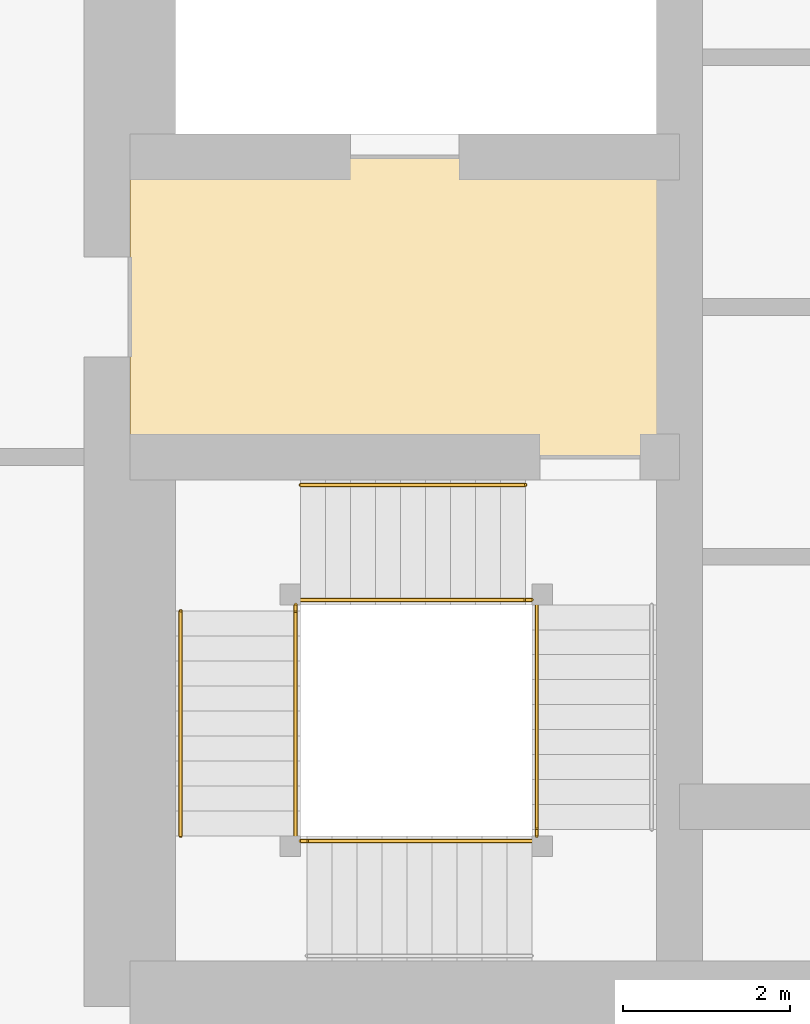
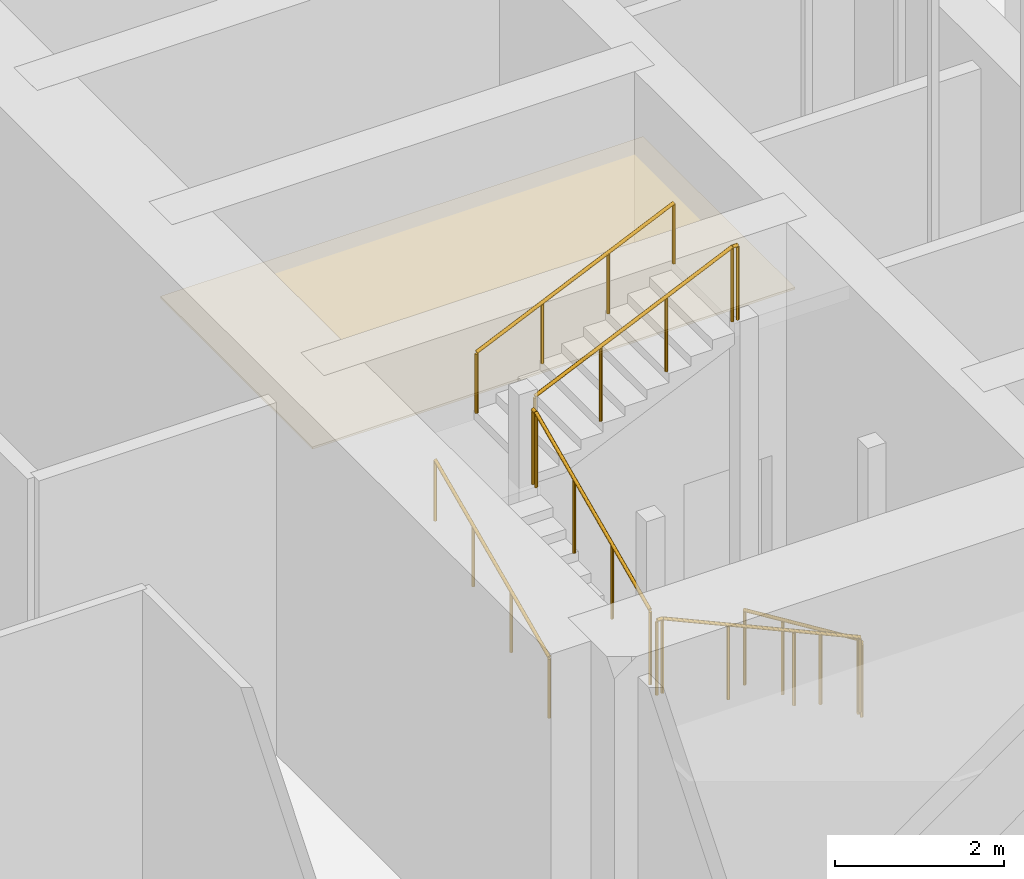
# One storey, part 47 of 81: 10 railings, 1 covering.
"""IFC4 building model written with IfcOpenShell, lengths in metres."""

from ifc_helpers import new_model, si_unit, direction, frame, origin, origin_2d, place, context, subcontext, project, spatial, polyline, circle, outline, extrude, material, layer, layer_set, type_object, element, save


model = new_model("IFC4")

# Units and contexts
model_context = context("Model", 3, precision=1e-05, world=origin(), true_north=direction((0.0, 1.0)))
body_context = subcontext(model_context, "Body", "Model", "MODEL_VIEW")
ifc_project = project(units=[si_unit("LENGTHUNIT", "METRE"), si_unit("AREAUNIT", "SQUARE_METRE"), si_unit("VOLUMEUNIT", "CUBIC_METRE"), si_unit("PLANEANGLEUNIT", "RADIAN"), si_unit("MASSUNIT", "GRAM", prefix="KILO")], contexts=[model_context])

# Site, building, storey
site_placement = place(None, origin())
site = spatial("IfcSite", under=ifc_project, at=site_placement, CompositionType="ELEMENT")
building_placement = place(site_placement, origin())
building = spatial("IfcBuilding", under=site, at=building_placement, Name="Rekha Terrace Tower", CompositionType="ELEMENT")
storey_placement = place(building_placement, origin())
storey = spatial("IfcBuildingStorey", under=building, at=storey_placement, Name="L00", CompositionType="ELEMENT", Elevation=0.0)

# Covering
ifc_material_1 = material(Name="Powder-coated aluminium pan", Category="aluminium")
ifc_layer = layer(ifc_material_1, 0.030029296875)
ifc_layer_set = layer_set([ifc_layer], Name="Powder-coated aluminium pan")
covering_type = type_object("IfcCoveringType", Name="CL3 300x1200 metal pan ceiling", PredefinedType="CEILING", material=ifc_layer_set)
covering_placement = place(storey_placement, frame((0.0, 0.0, 4.169921875)))
element("IfcCovering", 1, at=covering_placement, inside=storey, type_object=covering_type, Name="Ceiling L00-FLB1", PredefinedType="CEILING", context=body_context, shape_type="SweptSolid", body=[
    extrude(outline(polyline([(31.800048828125, 31.199951171875), (25.199951171875, 31.199951171875), (25.199951171875, 27.60009765625), (31.800048828125, 27.60009765625), (31.800048828125, 31.199951171875)])), origin(), (0.0, 0.0, 1.0), 0.030029296875),
])

# Railings
ifc_material_2 = material(Name="Stainless steel balustrade", Category="steel")
railing_type_1 = type_object("IfcRailingType", Name="GR1 1100 stair guard", PredefinedType="GUARDRAIL", material=ifc_material_2)
railing_1_placement = place(storey_placement, frame((30.0849609375, 25.824951171875, 0.135009765625)))
element("IfcRailing", 2, at=railing_1_placement, inside=storey, type_object=railing_type_1, Name="Guard ST1 L00 flight 1", PredefinedType="GUARDRAIL", context=body_context, shape_type="SweptSolid", body=[
    extrude(circle(Radius=0.02392578125, at=origin_2d()), frame((0.0, 0.0, 1.076171875), z_axis=(0.0, -0.911907618724, 0.410395534713), x_axis=(1.0, 0.0, 0.0)), (0.0, 0.0, 1.0), 2.960693359375),
    extrude(circle(Radius=0.02099609375, at=origin_2d()), origin(), (0.0, 0.0, 1.0), 1.052001953125),
    extrude(circle(Radius=0.02099609375, at=origin_2d()), frame((0.0, -0.89990234375, 0.405029296875)), (0.0, 0.0, 1.0), 1.052001953125),
    extrude(circle(Radius=0.02099609375, at=origin_2d()), frame((0.0, -1.800048828125, 0.81005859375)), (0.0, 0.0, 1.0), 1.052001953125),
    extrude(circle(Radius=0.02099609375, at=origin_2d()), frame((0.0, -2.699951171875, 1.215087890625)), (0.0, 0.0, 1.0), 1.052001953125),
])
railing_2_placement = place(storey_placement, frame((30.02490234375, 22.989990234375, 1.485107421875)))
element("IfcRailing", 3, at=railing_2_placement, inside=storey, type_object=railing_type_1, Name="Guard ST1 L00 flight 2", PredefinedType="GUARDRAIL", context=body_context, shape_type="SweptSolid", body=[
    extrude(circle(Radius=0.02392578125, at=origin_2d()), frame((0.0, 0.0, 1.076171875), z_axis=(-0.91193847666, 0.0, 0.410326960834), x_axis=(0.0, -1.0, 0.0)), (0.0, 0.0, 1.0), 2.960693359375),
    extrude(circle(Radius=0.02099609375, at=origin_2d()), origin(), (0.0, 0.0, 1.0), 1.052001953125),
    extrude(circle(Radius=0.02099609375, at=origin_2d()), frame((-0.89990234375, 0.0, 0.405029296875)), (0.0, 0.0, 1.0), 1.052001953125),
    extrude(circle(Radius=0.02099609375, at=origin_2d()), frame((-1.800048828125, 0.0, 0.809814453125)), (0.0, 0.0, 1.0), 1.052001953125),
    extrude(circle(Radius=0.02099609375, at=origin_2d()), frame((-2.699951171875, 0.0, 1.21484375)), (0.0, 0.0, 1.0), 1.052001953125),
])
railing_3_placement = place(storey_placement, frame((27.18994140625, 23.050048828125, 2.8349609375)))
element("IfcRailing", 4, at=railing_3_placement, inside=storey, type_object=railing_type_1, Name="Guard ST1 L00 flight 3", PredefinedType="GUARDRAIL", context=body_context, shape_type="SweptSolid", body=[
    extrude(circle(Radius=0.02392578125, at=origin_2d()), frame((0.0, 0.0, 1.076171875), z_axis=(0.0, 0.911907618724, 0.410395534713), x_axis=(-1.0, 0.0, 0.0)), (0.0, 0.0, 1.0), 2.960693359375),
    extrude(circle(Radius=0.02099609375, at=origin_2d()), origin(), (0.0, 0.0, 1.0), 1.052001953125),
    extrude(circle(Radius=0.02099609375, at=origin_2d()), frame((0.0, 0.89990234375, 0.405029296875)), (0.0, 0.0, 1.0), 1.052001953125),
    extrude(circle(Radius=0.02099609375, at=origin_2d()), frame((0.0, 1.800048828125, 0.81005859375)), (0.0, 0.0, 1.0), 1.052001953125),
    extrude(circle(Radius=0.02099609375, at=origin_2d()), frame((0.0, 2.699951171875, 1.215087890625)), (0.0, 0.0, 1.0), 1.052001953125),
])
railing_4_placement = place(storey_placement, frame((27.25, 25.885009765625, 4.18505859375)))
element("IfcRailing", 5, at=railing_4_placement, inside=storey, type_object=railing_type_1, Name="Guard ST1 L00 flight 4", PredefinedType="GUARDRAIL", context=body_context, shape_type="SweptSolid", body=[
    extrude(circle(Radius=0.02392578125, at=origin_2d()), frame((0.0, 0.0, 1.076171875), z_axis=(0.91193847666, 0.0, 0.410326960834), x_axis=(0.0, 1.0, 0.0)), (0.0, 0.0, 1.0), 2.960693359375),
    extrude(circle(Radius=0.02099609375, at=origin_2d()), origin(), (0.0, 0.0, 1.0), 1.052001953125),
    extrude(circle(Radius=0.02099609375, at=origin_2d()), frame((0.89990234375, 0.0, 0.405029296875)), (0.0, 0.0, 1.0), 1.052001953125),
    extrude(circle(Radius=0.02099609375, at=origin_2d()), frame((1.800048828125, 0.0, 0.809814453125)), (0.0, 0.0, 1.0), 1.052001953125),
    extrude(circle(Radius=0.02099609375, at=origin_2d()), frame((2.699951171875, 0.0, 1.21484375)), (0.0, 0.0, 1.0), 1.052001953125),
])
railing_5_placement = place(storey_placement, frame((30.0849609375, 23.125, 1.35009765625)))
element("IfcRailing", 6, at=railing_5_placement, inside=storey, type_object=railing_type_1, Name="Guard ST1 L00 landing 1", PredefinedType="GUARDRAIL", context=body_context, shape_type="SweptSolid", body=[
    extrude(circle(Radius=0.02392578125, at=origin_2d()), frame((0.0, 0.0, 1.076171875), z_axis=(0.0, -1.0, 0.0), x_axis=(1.0, 0.0, 0.0)), (0.0, 0.0, 1.0), 0.074951171875),
    extrude(circle(Radius=0.02099609375, at=origin_2d()), origin(), (0.0, 0.0, 1.0), 1.052001953125),
    extrude(circle(Radius=0.02099609375, at=origin_2d()), frame((0.0, -0.074951171875, 0.0)), (0.0, 0.0, 1.0), 1.052001953125),
])
railing_6_placement = place(storey_placement, frame((27.324951171875, 22.989990234375, 2.699951171875)))
element("IfcRailing", 7, at=railing_6_placement, inside=storey, type_object=railing_type_1, Name="Guard ST1 L00 landing 2", PredefinedType="GUARDRAIL", context=body_context, shape_type="SweptSolid", body=[
    extrude(circle(Radius=0.02392578125, at=origin_2d()), frame((0.0, 0.0, 1.076171875), z_axis=(-1.0, 0.0, 0.0), x_axis=(0.0, -1.0, 0.0)), (0.0, 0.0, 1.0), 0.074951171875),
    extrude(circle(Radius=0.02099609375, at=origin_2d()), origin(), (0.0, 0.0, 1.0), 1.052001953125),
    extrude(circle(Radius=0.02099609375, at=origin_2d()), frame((-0.074951171875, 0.0, 0.0)), (0.0, 0.0, 1.0), 1.052001953125),
])
railing_7_placement = place(storey_placement, frame((27.18994140625, 25.824951171875, 4.050048828125)))
element("IfcRailing", 8, at=railing_7_placement, inside=storey, type_object=railing_type_1, Name="Guard ST1 L00 landing 3", PredefinedType="GUARDRAIL", context=body_context, shape_type="SweptSolid", body=[
    extrude(circle(Radius=0.02392578125, at=origin_2d()), frame((0.0, 0.0, 1.076171875), z_axis=(0.0, -1.0, 0.0), x_axis=(1.0, 0.0, 0.0)), (0.0, 0.0, 1.0), 0.074951171875),
    extrude(circle(Radius=0.02099609375, at=origin_2d()), origin(), (0.0, 0.0, 1.0), 1.052001953125),
    extrude(circle(Radius=0.02099609375, at=origin_2d()), frame((0.0, -0.074951171875, 0.0)), (0.0, 0.0, 1.0), 1.052001953125),
])
railing_8_placement = place(storey_placement, frame((30.02490234375, 25.885009765625, 5.39990234375)))
element("IfcRailing", 9, at=railing_8_placement, inside=storey, type_object=railing_type_1, Name="Guard ST1 L00 landing 4", PredefinedType="GUARDRAIL", context=body_context, shape_type="SweptSolid", body=[
    extrude(circle(Radius=0.02392578125, at=origin_2d()), frame((0.0, 0.0, 1.076171875), z_axis=(-1.0, 0.0, 0.0), x_axis=(0.0, -1.0, 0.0)), (0.0, 0.0, 1.0), 0.074951171875),
    extrude(circle(Radius=0.02099609375, at=origin_2d()), origin(), (0.0, 0.0, 1.0), 1.052001953125),
    extrude(circle(Radius=0.02099609375, at=origin_2d()), frame((-0.074951171875, 0.0, 0.0)), (0.0, 0.0, 1.0), 1.052001953125),
])
ifc_material_3 = material(Name="Stainless steel tube", Category="steel")
railing_type_2 = type_object("IfcRailingType", Name="HR1 900 stair handrail", PredefinedType="HANDRAIL", material=ifc_material_3)
railing_9_placement = place(storey_placement, frame((25.81005859375, 23.050048828125, 2.8349609375)))
element("IfcRailing", 10, at=railing_9_placement, inside=storey, type_object=railing_type_2, Name="Handrail ST1 L00 flight 3", PredefinedType="HANDRAIL", context=body_context, shape_type="SweptSolid", body=[
    extrude(circle(Radius=0.02392578125, at=origin_2d()), frame((0.0, 0.0, 0.8759765625), z_axis=(0.0, 0.911907618724, 0.410395534713), x_axis=(-1.0, 0.0, 0.0)), (0.0, 0.0, 1.0), 2.960693359375),
    extrude(circle(Radius=0.02099609375, at=origin_2d()), origin(), (0.0, 0.0, 1.0), 0.851806640625),
    extrude(circle(Radius=0.02099609375, at=origin_2d()), frame((0.0, 0.89990234375, 0.405029296875)), (0.0, 0.0, 1.0), 0.851806640625),
    extrude(circle(Radius=0.02099609375, at=origin_2d()), frame((0.0, 1.800048828125, 0.81005859375)), (0.0, 0.0, 1.0), 0.851806640625),
    extrude(circle(Radius=0.02099609375, at=origin_2d()), frame((0.0, 2.699951171875, 1.215087890625)), (0.0, 0.0, 1.0), 0.851806640625),
])
railing_10_placement = place(storey_placement, frame((27.25, 27.264892578125, 4.18505859375)))
element("IfcRailing", 11, at=railing_10_placement, inside=storey, type_object=railing_type_2, Name="Handrail ST1 L00 flight 4", PredefinedType="HANDRAIL", context=body_context, shape_type="SweptSolid", body=[
    extrude(circle(Radius=0.02392578125, at=origin_2d()), frame((0.0, 0.0, 0.8759765625), z_axis=(0.91193847666, 0.0, 0.410326960834), x_axis=(0.0, 1.0, 0.0)), (0.0, 0.0, 1.0), 2.960693359375),
    extrude(circle(Radius=0.02099609375, at=origin_2d()), origin(), (0.0, 0.0, 1.0), 0.851806640625),
    extrude(circle(Radius=0.02099609375, at=origin_2d()), frame((0.89990234375, 0.0, 0.405029296875)), (0.0, 0.0, 1.0), 0.851806640625),
    extrude(circle(Radius=0.02099609375, at=origin_2d()), frame((1.800048828125, 0.0, 0.809814453125)), (0.0, 0.0, 1.0), 0.851806640625),
    extrude(circle(Radius=0.02099609375, at=origin_2d()), frame((2.699951171875, 0.0, 1.21484375)), (0.0, 0.0, 1.0), 0.851806640625),
])

save(model, "model.ifc")
